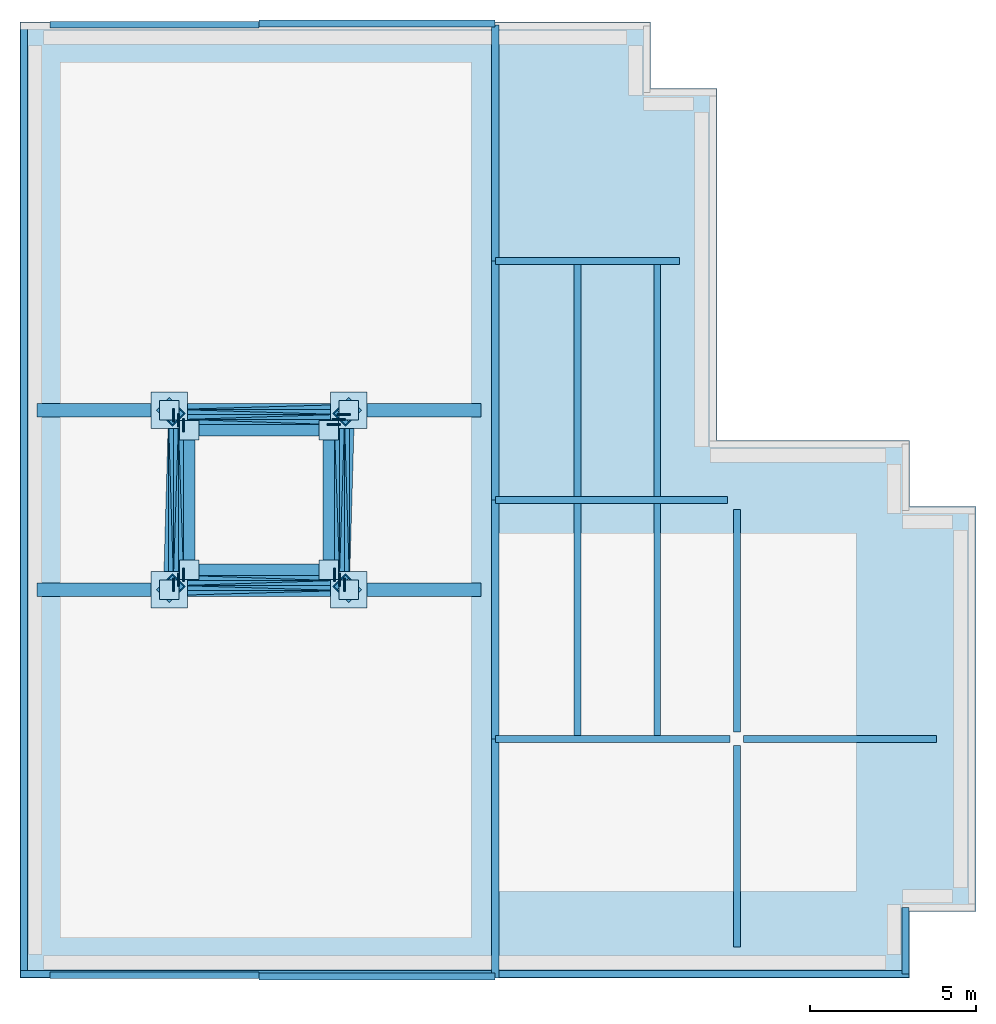
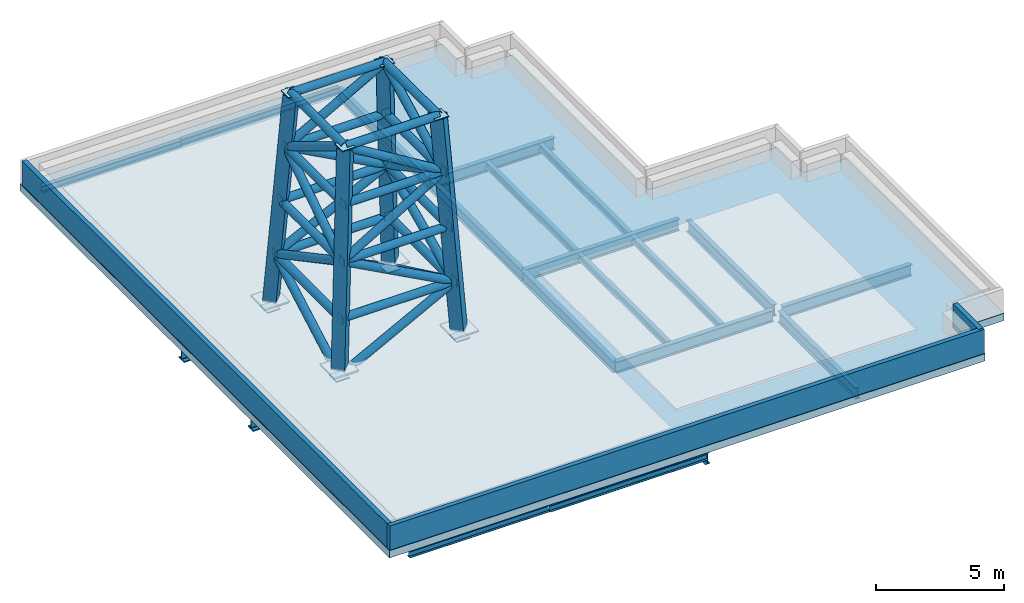
# One storey, part 1 of 3: 36 beams, 24 plates, 16 members, 4 columns, 3 walls, 1 slab.
"""IFC4 building model written with IfcOpenShell, lengths in metres."""

from ifc_helpers import new_model, si_unit, direction, frame, frame_2d, origin, origin_2d, place, context, subcontext, project, spatial, polyline, rectangle, hollow_rectangle, hollow_circle, i_section, outline, extrude, material, layer, layer_set, material_profile, profile_set, type_object, element, save


model = new_model("IFC4")

# Units and contexts
model_context = context("Model", 3, precision=1e-05, world=origin(), true_north=direction((0.0, 1.0)))
body_context = subcontext(model_context, "Body", "Model", "MODEL_VIEW")
ifc_project = project(units=[si_unit("LENGTHUNIT", "METRE"), si_unit("AREAUNIT", "SQUARE_METRE"), si_unit("VOLUMEUNIT", "CUBIC_METRE"), si_unit("PLANEANGLEUNIT", "RADIAN"), si_unit("MASSUNIT", "GRAM", prefix="KILO")], contexts=[model_context])

# Site, building, storey
site_placement = place(None, origin())
site = spatial("IfcSite", under=ifc_project, at=site_placement, CompositionType="ELEMENT")
building_placement = place(site_placement, origin())
building = spatial("IfcBuilding", under=site, at=building_placement, Name="Cobrela Telecom Tower", CompositionType="ELEMENT")
storey_placement = place(building_placement, frame((0.0, 0.0, 305.199951171875)))
storey = spatial("IfcBuildingStorey", under=building, at=storey_placement, Name="RF", CompositionType="ELEMENT", Elevation=305.199951171875)

# Columns
ifc_material_1 = material(Name="Steel ASTM A572 Grade 50", Category="steel")
ifc_material_profile_1 = material_profile(ifc_material_1, hollow_rectangle(XDim=0.550048828125, YDim=0.550048828125, WallThickness=0.034912109375, at=origin_2d()), Name="BOX 550x550x35")
ifc_profile_set_1 = profile_set([ifc_material_profile_1], Name="Steel ASTM A572 Grade 50")
column_type = type_object("IfcColumnType", Name="COL-MAST-LO", PredefinedType="COLUMN", material=ifc_profile_set_1)
for number, where, z_axis, x_axis, name in (
    (1, (4.5, 18.89990234375, -0.349853515625), (0.057787324921, 0.057787324921, 0.996655030669), (-0.707106781187, 0.707106781187, 0.0), "RF Broadcast Lattice Mast Leg 1"),
    (2, (9.89990234375, 18.89990234375, -0.349853515625), (-0.057763893486, 0.057787403414, 0.996656384425), (-0.707250633645, -0.706962899457, 0.0), "RF Broadcast Lattice Mast Leg 2"),
    (3, (9.89990234375, 24.300048828125, -0.349853515625), (-0.057763893486, -0.057787403414, 0.996656384425), (0.707250633645, -0.706962899457, 0.0), "RF Broadcast Lattice Mast Leg 3"),
    (4, (4.5, 24.300048828125, -0.349853515625), (0.057787324921, -0.057787324921, 0.996655030669), (0.707106781187, 0.707106781187, 0.0), "RF Broadcast Lattice Mast Leg 4"),
):
    element("IfcColumn", number, at=place(storey_placement, frame(where, z_axis=z_axis, x_axis=x_axis)), inside=storey, type_object=column_type, Name=name, PredefinedType="COLUMN", context=body_context, shape_type="SweptSolid", body=[
        extrude(hollow_rectangle(XDim=0.550048828125, YDim=0.550048828125, WallThickness=0.034912109375, at=origin_2d()), origin(), (0.0, 0.0, 1.0), 10.384521484375),
    ])

# Beams
ifc_material_2 = material(Name="Steel ASTM A992 Grade 50", Category="steel")
ifc_material_profile_2 = material_profile(ifc_material_2, i_section(OverallWidth=0.212890625, OverallDepth=0.549072265625, WebThickness=0.0146484375, FlangeThickness=0.023681640625, FilletRadius=0.013916015625, at=origin_2d()), Name="W21X93")
ifc_profile_set_2 = profile_set([ifc_material_profile_2], Name="Steel ASTM A992 Grade 50")
beam_type_1 = type_object("IfcBeamType", Name="BM-GIRD-08", PredefinedType="USERDEFINED", material=ifc_profile_set_2)
beam_1_placement = place(storey_placement, frame((14.324951171875, 14.39990234375, -0.62451171875), z_axis=(1.0, 0.0, 0.0), x_axis=(0.0, 1.0, 0.0)))
element("IfcBeam", 5, at=beam_1_placement, inside=storey, type_object=beam_type_1, Name="RF Primary Girder X03", ObjectType="GIRDER", PredefinedType="USERDEFINED", context=body_context, shape_type="SweptSolid", body=[
    extrude(i_section(OverallWidth=0.212890625, OverallDepth=0.549072265625, WebThickness=0.0146484375, FlangeThickness=0.023681640625, FilletRadius=0.013916015625, at=origin_2d()), origin(), (0.0, 0.0, 1.0), 7.070556640625),
])
beam_2_placement = place(storey_placement, frame((21.804443359375, 14.39990234375, -0.62451171875), z_axis=(1.0, 0.0, 0.0), x_axis=(0.0, 1.0, 0.0)))
element("IfcBeam", 6, at=beam_2_placement, inside=storey, type_object=beam_type_1, Name="RF Primary Girder X04", ObjectType="GIRDER", PredefinedType="USERDEFINED", context=body_context, shape_type="SweptSolid", body=[
    extrude(i_section(OverallWidth=0.212890625, OverallDepth=0.549072265625, WebThickness=0.0146484375, FlangeThickness=0.023681640625, FilletRadius=0.013916015625, at=origin_2d()), origin(), (0.0, 0.0, 1.0), 5.815673828125),
])
beam_3_placement = place(storey_placement, frame((14.324951171875, 21.60009765625, -0.62451171875), z_axis=(1.0, 0.0, 0.0), x_axis=(0.0, 1.0, 0.0)))
element("IfcBeam", 7, at=beam_3_placement, inside=storey, type_object=beam_type_1, Name="RF Primary Girder X05", ObjectType="GIRDER", PredefinedType="USERDEFINED", context=body_context, shape_type="SweptSolid", body=[
    extrude(i_section(OverallWidth=0.212890625, OverallDepth=0.549072265625, WebThickness=0.0146484375, FlangeThickness=0.023681640625, FilletRadius=0.013916015625, at=origin_2d()), origin(), (0.0, 0.0, 1.0), 6.9951171875),
])
beam_4_placement = place(storey_placement, frame((14.324951171875, 28.800048828125, -0.62451171875), z_axis=(1.0, 0.0, 0.0), x_axis=(0.0, 1.0, 0.0)))
element("IfcBeam", 8, at=beam_4_placement, inside=storey, type_object=beam_type_1, Name="RF Primary Girder X06", ObjectType="GIRDER", PredefinedType="USERDEFINED", context=body_context, shape_type="SweptSolid", body=[
    extrude(i_section(OverallWidth=0.212890625, OverallDepth=0.549072265625, WebThickness=0.0146484375, FlangeThickness=0.023681640625, FilletRadius=0.013916015625, at=origin_2d()), origin(), (0.0, 0.0, 1.0), 5.545166015625),
])
for number, where, z_axis, x_axis, name in (
    (9, (14.320068359375, 7.205078125, -0.62451171875), (0.0, 1.0, 0.0), (-1.0, 0.0, 0.0), "RF Primary Girder Y09"),
    (10, (14.320068359375, 14.405029296875, -0.62451171875), (0.0, 1.0, 0.0), (-1.0, 0.0, 0.0), "RF Primary Girder Y10"),
    (11, (14.320068359375, 21.60498046875, -0.62451171875), (0.0, 1.0, 0.0), (-1.0, 0.0, 0.0), "RF Primary Girder Y11"),
):
    element("IfcBeam", number, at=place(storey_placement, frame(where, z_axis=z_axis, x_axis=x_axis)), inside=storey, type_object=beam_type_1, Name=name, ObjectType="GIRDER", PredefinedType="USERDEFINED", context=body_context, shape_type="SweptSolid", body=[
        extrude(i_section(OverallWidth=0.212890625, OverallDepth=0.549072265625, WebThickness=0.0146484375, FlangeThickness=0.023681640625, FilletRadius=0.013916015625, at=origin_2d()), origin(), (0.0, 0.0, 1.0), 7.18994140625),
    ])
beam_5_placement = place(storey_placement, frame((14.320068359375, 28.804931640625, -0.62451171875), z_axis=(0.0, 1.0, 0.0), x_axis=(-1.0, 0.0, 0.0)))
element("IfcBeam", 12, at=beam_5_placement, inside=storey, type_object=beam_type_1, Name="RF Primary Girder Y12", ObjectType="GIRDER", PredefinedType="USERDEFINED", context=body_context, shape_type="SweptSolid", body=[
    extrude(i_section(OverallWidth=0.212890625, OverallDepth=0.549072265625, WebThickness=0.0146484375, FlangeThickness=0.023681640625, FilletRadius=0.013916015625, at=origin_2d()), origin(), (0.0, 0.0, 1.0), 7.110107421875),
])
beam_6_placement = place(storey_placement, frame((21.60009765625, 8.1298828125, -0.62451171875), z_axis=(0.0, 1.0, 0.0), x_axis=(-1.0, 0.0, 0.0)))
element("IfcBeam", 13, at=beam_6_placement, inside=storey, type_object=beam_type_1, Name="RF Primary Girder Y13", ObjectType="GIRDER", PredefinedType="USERDEFINED", context=body_context, shape_type="SweptSolid", body=[
    extrude(i_section(OverallWidth=0.212890625, OverallDepth=0.549072265625, WebThickness=0.0146484375, FlangeThickness=0.023681640625, FilletRadius=0.013916015625, at=origin_2d()), origin(), (0.0, 0.0, 1.0), 6.065673828125),
])
beam_7_placement = place(storey_placement, frame((21.60009765625, 14.6044921875, -0.62451171875), z_axis=(0.0, 1.0, 0.0), x_axis=(-1.0, 0.0, 0.0)))
element("IfcBeam", 14, at=beam_7_placement, inside=storey, type_object=beam_type_1, Name="RF Primary Girder Y14", ObjectType="GIRDER", PredefinedType="USERDEFINED", context=body_context, shape_type="SweptSolid", body=[
    extrude(i_section(OverallWidth=0.212890625, OverallDepth=0.549072265625, WebThickness=0.0146484375, FlangeThickness=0.023681640625, FilletRadius=0.013916015625, at=origin_2d()), origin(), (0.0, 0.0, 1.0), 6.715576171875),
])
ifc_material_profile_3 = material_profile(ifc_material_2, i_section(OverallWidth=0.205078125, OverallDepth=0.31005859375, WebThickness=0.009521484375, FlangeThickness=0.016357421875, FilletRadius=0.010986328125, at=origin_2d()), Name="W12X50")
ifc_profile_set_3 = profile_set([ifc_material_profile_3], Name="Steel ASTM A992 Grade 50")
beam_type_2 = type_object("IfcBeamType", Name="BM-JOIST-05", PredefinedType="JOIST", material=ifc_profile_set_3)
for number, where, z_axis, x_axis, name in (
    (15, (16.800048828125, 14.511474609375, -0.5048828125), (0.0, 1.0, 0.0), (-1.0, 0.0, 0.0), "RF Secondary Composite Floor Beam J01"),
    (16, (16.800048828125, 21.71142578125, -0.5048828125), (0.0, 1.0, 0.0), (-1.0, 0.0, 0.0), "RF Secondary Composite Floor Beam J02"),
    (17, (19.199951171875, 14.511474609375, -0.5048828125), (0.0, 1.0, 0.0), (-1.0, 0.0, 0.0), "RF Secondary Composite Floor Beam J03"),
    (18, (19.199951171875, 21.71142578125, -0.5048828125), (0.0, 1.0, 0.0), (-1.0, 0.0, 0.0), "RF Secondary Composite Floor Beam J04"),
):
    element("IfcBeam", number, at=place(storey_placement, frame(where, z_axis=z_axis, x_axis=x_axis)), inside=storey, type_object=beam_type_2, Name=name, PredefinedType="JOIST", context=body_context, shape_type="SweptSolid", body=[
        extrude(i_section(OverallWidth=0.205078125, OverallDepth=0.31005859375, WebThickness=0.009521484375, FlangeThickness=0.016357421875, FilletRadius=0.010986328125, at=origin_2d()), origin(), (0.0, 0.0, 1.0), 6.97705078125),
    ])
ifc_material_profile_4 = material_profile(ifc_material_1, hollow_circle(Radius=0.177978515625, WallThickness=0.01611328125, at=origin_2d()), Name="CHS 356x16")
ifc_profile_set_4 = profile_set([ifc_material_profile_4], Name="Steel ASTM A572 Grade 50")
beam_type_3 = type_object("IfcBeamType", Name="BM-MAST-RING", PredefinedType="BEAM", material=ifc_profile_set_4)
beam_8_placement = place(storey_placement, frame((4.64990234375, 19.050048828125, 2.237548828125), z_axis=(1.0, 0.0, 0.0), x_axis=(0.0, 1.0, 0.0)))
element("IfcBeam", 19, at=beam_8_placement, inside=storey, type_object=beam_type_3, Name="RF Broadcast Lattice Mast Ring 1.1", PredefinedType="BEAM", context=body_context, shape_type="SweptSolid", body=[
    extrude(hollow_circle(Radius=0.177978515625, WallThickness=0.01611328125, at=origin_2d()), origin(), (0.0, 0.0, 1.0), 5.10009765625),
])
beam_9_placement = place(storey_placement, frame((9.75, 19.050048828125, 2.237548828125), z_axis=(0.0, 1.0, 0.0), x_axis=(-1.0, 0.0, 0.0)))
element("IfcBeam", 20, at=beam_9_placement, inside=storey, type_object=beam_type_3, Name="RF Broadcast Lattice Mast Ring 1.2", PredefinedType="BEAM", context=body_context, shape_type="SweptSolid", body=[
    extrude(hollow_circle(Radius=0.177978515625, WallThickness=0.01611328125, at=origin_2d()), origin(), (0.0, 0.0, 1.0), 5.099853515625),
])
beam_10_placement = place(storey_placement, frame((9.75, 24.14990234375, 2.237548828125), z_axis=(-1.0, 0.0, 0.0), x_axis=(0.0, -1.0, 0.0)))
element("IfcBeam", 21, at=beam_10_placement, inside=storey, type_object=beam_type_3, Name="RF Broadcast Lattice Mast Ring 1.3", PredefinedType="BEAM", context=body_context, shape_type="SweptSolid", body=[
    extrude(hollow_circle(Radius=0.177978515625, WallThickness=0.01611328125, at=origin_2d()), origin(), (0.0, 0.0, 1.0), 5.10009765625),
])
beam_11_placement = place(storey_placement, frame((4.64990234375, 24.14990234375, 2.237548828125), z_axis=(0.0, -1.0, 0.0), x_axis=(1.0, 0.0, 0.0)))
element("IfcBeam", 22, at=beam_11_placement, inside=storey, type_object=beam_type_3, Name="RF Broadcast Lattice Mast Ring 1.4", PredefinedType="BEAM", context=body_context, shape_type="SweptSolid", body=[
    extrude(hollow_circle(Radius=0.177978515625, WallThickness=0.01611328125, at=origin_2d()), origin(), (0.0, 0.0, 1.0), 5.099853515625),
])
for number, where, z_axis, x_axis, name in (
    (23, (4.800048828125, 19.199951171875, 4.824951171875), (1.0, 0.0, 0.0), (0.0, 1.0, 0.0), "RF Broadcast Lattice Mast Ring 2.1"),
    (24, (9.60009765625, 19.199951171875, 4.824951171875), (0.0, 1.0, 0.0), (-1.0, 0.0, 0.0), "RF Broadcast Lattice Mast Ring 2.2"),
    (25, (9.60009765625, 24.0, 4.824951171875), (-1.0, 0.0, 0.0), (0.0, -1.0, 0.0), "RF Broadcast Lattice Mast Ring 2.3"),
    (26, (4.800048828125, 24.0, 4.824951171875), (0.0, -1.0, 0.0), (1.0, 0.0, 0.0), "RF Broadcast Lattice Mast Ring 2.4"),
):
    element("IfcBeam", number, at=place(storey_placement, frame(where, z_axis=z_axis, x_axis=x_axis)), inside=storey, type_object=beam_type_3, Name=name, PredefinedType="BEAM", context=body_context, shape_type="SweptSolid", body=[
        extrude(hollow_circle(Radius=0.177978515625, WallThickness=0.01611328125, at=origin_2d()), origin(), (0.0, 0.0, 1.0), 4.800048828125),
    ])
for number, where, z_axis, x_axis, name in (
    (27, (4.949951171875, 19.35009765625, 7.41259765625), (1.0, 0.0, 0.0), (0.0, 1.0, 0.0), "RF Broadcast Lattice Mast Ring 3.1"),
    (28, (9.449951171875, 19.35009765625, 7.41259765625), (0.0, 1.0, 0.0), (-1.0, 0.0, 0.0), "RF Broadcast Lattice Mast Ring 3.2"),
    (29, (9.449951171875, 23.85009765625, 7.41259765625), (-1.0, 0.0, 0.0), (0.0, -1.0, 0.0), "RF Broadcast Lattice Mast Ring 3.3"),
    (30, (4.949951171875, 23.85009765625, 7.41259765625), (0.0, -1.0, 0.0), (1.0, 0.0, 0.0), "RF Broadcast Lattice Mast Ring 3.4"),
):
    element("IfcBeam", number, at=place(storey_placement, frame(where, z_axis=z_axis, x_axis=x_axis)), inside=storey, type_object=beam_type_3, Name=name, PredefinedType="BEAM", context=body_context, shape_type="SweptSolid", body=[
        extrude(hollow_circle(Radius=0.177978515625, WallThickness=0.01611328125, at=origin_2d()), origin(), (0.0, 0.0, 1.0), 4.5),
    ])
for number, where, z_axis, x_axis, name in (
    (31, (5.10009765625, 19.5, 10.0), (1.0, 0.0, 0.0), (0.0, 1.0, 0.0), "RF Broadcast Lattice Mast Ring 4.1"),
    (32, (9.300048828125, 19.5, 10.0), (0.0, 1.0, 0.0), (-1.0, 0.0, 0.0), "RF Broadcast Lattice Mast Ring 4.2"),
    (33, (9.300048828125, 23.699951171875, 10.0), (-1.0, 0.0, 0.0), (0.0, -1.0, 0.0), "RF Broadcast Lattice Mast Ring 4.3"),
    (34, (5.10009765625, 23.699951171875, 10.0), (0.0, -1.0, 0.0), (1.0, 0.0, 0.0), "RF Broadcast Lattice Mast Ring 4.4"),
):
    element("IfcBeam", number, at=place(storey_placement, frame(where, z_axis=z_axis, x_axis=x_axis)), inside=storey, type_object=beam_type_3, Name=name, PredefinedType="BEAM", context=body_context, shape_type="SweptSolid", body=[
        extrude(hollow_circle(Radius=0.177978515625, WallThickness=0.01611328125, at=origin_2d()), origin(), (0.0, 0.0, 1.0), 4.199951171875),
    ])
ifc_material_profile_5 = material_profile(ifc_material_2, i_section(OverallWidth=0.205078125, OverallDepth=0.31005859375, WebThickness=0.009521484375, FlangeThickness=0.016357421875, FilletRadius=0.010986328125, at=origin_2d()), Name="W12X50")
ifc_profile_set_5 = profile_set([ifc_material_profile_5], Name="Steel ASTM A992 Grade 50")
beam_type_4 = type_object("IfcBeamType", Name="BM-SPAND-07", PredefinedType="SPANDREL", material=ifc_profile_set_5)
beam_12_placement = place(storey_placement, frame((0.905029296875, 7.280029296875, -0.5048828125), z_axis=(1.0, 0.0, 0.0), x_axis=(0.0, 1.0, 0.0)))
element("IfcBeam", 35, at=beam_12_placement, inside=storey, type_object=beam_type_4, Name="RF Perimeter Spandrel X01", PredefinedType="SPANDREL", context=body_context, shape_type="SweptSolid", body=[
    extrude(i_section(OverallWidth=0.205078125, OverallDepth=0.31005859375, WebThickness=0.009521484375, FlangeThickness=0.016357421875, FilletRadius=0.010986328125, at=origin_2d()), origin(), (0.0, 0.0, 1.0), 6.2900390625),
])
beam_13_placement = place(storey_placement, frame((7.205078125, 7.239990234375, -0.5048828125), z_axis=(1.0, 0.0, 0.0), x_axis=(0.0, 1.0, 0.0)))
element("IfcBeam", 36, at=beam_13_placement, inside=storey, type_object=beam_type_4, Name="RF Perimeter Spandrel X02", PredefinedType="SPANDREL", context=body_context, shape_type="SweptSolid", body=[
    extrude(i_section(OverallWidth=0.205078125, OverallDepth=0.31005859375, WebThickness=0.009521484375, FlangeThickness=0.016357421875, FilletRadius=0.010986328125, at=origin_2d()), origin(), (0.0, 0.0, 1.0), 7.10986328125),
])
beam_14_placement = place(storey_placement, frame((0.905029296875, 35.919921875, -0.5048828125), z_axis=(1.0, 0.0, 0.0), x_axis=(0.0, 1.0, 0.0)))
element("IfcBeam", 37, at=beam_14_placement, inside=storey, type_object=beam_type_4, Name="RF Perimeter Spandrel X07", PredefinedType="SPANDREL", context=body_context, shape_type="SweptSolid", body=[
    extrude(i_section(OverallWidth=0.205078125, OverallDepth=0.31005859375, WebThickness=0.009521484375, FlangeThickness=0.016357421875, FilletRadius=0.010986328125, at=origin_2d()), origin(), (0.0, 0.0, 1.0), 6.2900390625),
])
beam_15_placement = place(storey_placement, frame((7.205078125, 35.9599609375, -0.5048828125), z_axis=(1.0, 0.0, 0.0), x_axis=(0.0, 1.0, 0.0)))
element("IfcBeam", 38, at=beam_15_placement, inside=storey, type_object=beam_type_4, Name="RF Perimeter Spandrel X08", PredefinedType="SPANDREL", context=body_context, shape_type="SweptSolid", body=[
    extrude(i_section(OverallWidth=0.205078125, OverallDepth=0.31005859375, WebThickness=0.009521484375, FlangeThickness=0.016357421875, FilletRadius=0.010986328125, at=origin_2d()), origin(), (0.0, 0.0, 1.0), 7.10986328125),
])
ifc_material_profile_6 = material_profile(ifc_material_2, i_section(OverallWidth=0.408935546875, OverallDepth=1.137939453125, WebThickness=0.031005859375, FlangeThickness=0.054931640625, FilletRadius=0.02490234375, at=origin_2d()), Name="W44X408")
ifc_profile_set_6 = profile_set([ifc_material_profile_6], Name="Steel ASTM A992 Grade 50")
beam_type_5 = type_object("IfcBeamType", Name="BM-TRG-RF", PredefinedType="USERDEFINED", material=ifc_profile_set_6)
for number, where, z_axis, x_axis, name in (
    (39, (0.5048828125, 18.89990234375, -0.9189453125), (1.0, 0.0, 0.0), (0.0, 1.0, 0.0), "RF Transfer Girder 01"),
    (40, (0.5048828125, 24.300048828125, -0.9189453125), (1.0, 0.0, 0.0), (0.0, 1.0, 0.0), "RF Transfer Girder 02"),
):
    element("IfcBeam", number, at=place(storey_placement, frame(where, z_axis=z_axis, x_axis=x_axis)), inside=storey, type_object=beam_type_5, Name=name, ObjectType="GIRDER", PredefinedType="USERDEFINED", context=body_context, shape_type="SweptSolid", body=[
        extrude(i_section(OverallWidth=0.408935546875, OverallDepth=1.137939453125, WebThickness=0.031005859375, FlangeThickness=0.054931640625, FilletRadius=0.02490234375, at=origin_2d()), origin(), (0.0, 0.0, 1.0), 13.39013671875),
    ])

# Members
ifc_material_profile_7 = material_profile(ifc_material_1, hollow_circle(Radius=0.177978515625, WallThickness=0.01611328125, at=origin_2d()), Name="CHS 356x16")
ifc_profile_set_7 = profile_set([ifc_material_profile_7], Name="Steel ASTM A572 Grade 50")
member_type = type_object("IfcMemberType", Name="MBR-MAST-BRC", PredefinedType="BRACE", material=ifc_profile_set_7)
for number, where, z_axis, x_axis, name in (
    (41, (4.5, 18.89990234375, -0.349853515625), (0.896686909668, 0.025644645157, 0.441921868892), (-0.028587641521, 0.999591289854, 0.0), "RF Broadcast Lattice Mast Brace 1.1"),
    (42, (9.89990234375, 24.300048828125, -0.349853515625), (-0.025602973903, -0.896687867758, 0.441922341076), (0.999592617101, -0.028541195447, 0.0), "RF Broadcast Lattice Mast Brace 1.2"),
    (43, (9.89990234375, 24.300048828125, -0.349853515625), (-0.896686909668, -0.025644645157, 0.441921868892), (0.028587641521, -0.999591289854, 0.0), "RF Broadcast Lattice Mast Brace 1.3"),
    (44, (4.5, 18.89990234375, -0.349853515625), (0.025602973903, 0.896687867758, 0.441922341076), (-0.999592617101, 0.028541195447, 0.0), "RF Broadcast Lattice Mast Brace 1.4"),
):
    element("IfcMember", number, at=place(storey_placement, frame(where, z_axis=z_axis, x_axis=x_axis)), inside=storey, type_object=member_type, Name=name, PredefinedType="BRACE", context=body_context, shape_type="SweptSolid", body=[
        extrude(hollow_circle(Radius=0.177978515625, WallThickness=0.01611328125, at=origin_2d()), origin(), (0.0, 0.0, 1.0), 5.85498046875),
    ])
for number, where, z_axis, x_axis, name in (
    (45, (9.75, 19.050048828125, 2.237548828125), (-0.885911745734, 0.02682859738, 0.463077320902), (-0.030269723546, -0.999541766929, 0.0), "RF Broadcast Lattice Mast Brace 2.1"),
    (46, (9.75, 19.050048828125, 2.237548828125), (-0.02682859738, 0.885911745734, 0.463077320902), (-0.999541766929, -0.030269723546, 0.0), "RF Broadcast Lattice Mast Brace 2.2"),
):
    element("IfcMember", number, at=place(storey_placement, frame(where, z_axis=z_axis, x_axis=x_axis)), inside=storey, type_object=member_type, Name=name, PredefinedType="BRACE", context=body_context, shape_type="SweptSolid", body=[
        extrude(hollow_circle(Radius=0.177978515625, WallThickness=0.01611328125, at=origin_2d()), origin(), (0.0, 0.0, 1.0), 5.58740234375),
    ])
member_1_placement = place(storey_placement, frame((4.64990234375, 24.14990234375, 2.237548828125), z_axis=(0.885921146574, -0.026827558887, 0.463059395906), x_axis=(0.030268232029, 0.999541812097, 0.0)))
element("IfcMember", 47, at=member_1_placement, inside=storey, type_object=member_type, Name="RF Broadcast Lattice Mast Brace 2.3", PredefinedType="BRACE", context=body_context, shape_type="SweptSolid", body=[
    extrude(hollow_circle(Radius=0.177978515625, WallThickness=0.01611328125, at=origin_2d()), origin(), (0.0, 0.0, 1.0), 5.587646484375),
])
member_2_placement = place(storey_placement, frame((4.64990234375, 24.14990234375, 2.237548828125), z_axis=(0.026872260637, -0.885910706362, 0.463076777609), x_axis=(0.999540274128, 0.030318977489, 0.0)))
element("IfcMember", 48, at=member_2_placement, inside=storey, type_object=member_type, Name="RF Broadcast Lattice Mast Brace 2.4", PredefinedType="BRACE", context=body_context, shape_type="SweptSolid", body=[
    extrude(hollow_circle(Radius=0.177978515625, WallThickness=0.01611328125, at=origin_2d()), origin(), (0.0, 0.0, 1.0), 5.58740234375),
])
for number, where, z_axis, x_axis, name in (
    (49, (4.800048828125, 19.199951171875, 4.824951171875), (0.873461013403, 0.028204269833, 0.486076513759), (-0.032273423952, 0.999479077373, 0.0), "RF Broadcast Lattice Mast Brace 3.1"),
    (50, (9.60009765625, 24.0, 4.824951171875), (-0.028204269833, -0.873461013403, 0.486076513759), (0.999479077373, -0.032273423952, 0.0), "RF Broadcast Lattice Mast Brace 3.2"),
):
    element("IfcMember", number, at=place(storey_placement, frame(where, z_axis=z_axis, x_axis=x_axis)), inside=storey, type_object=member_type, Name=name, PredefinedType="BRACE", context=body_context, shape_type="SweptSolid", body=[
        extrude(hollow_circle(Radius=0.177978515625, WallThickness=0.01611328125, at=origin_2d()), origin(), (0.0, 0.0, 1.0), 5.323486328125),
    ])
for number, where, z_axis, x_axis, name in (
    (51, (9.60009765625, 24.0, 4.824951171875), (-0.873473013531, -0.028157317704, 0.486057671571), (0.032219311464, -0.999480823212, 0.0), "RF Broadcast Lattice Mast Brace 3.3"),
    (52, (4.800048828125, 19.199951171875, 4.824951171875), (0.028157317704, 0.873473013531, 0.486057671571), (-0.999480823212, 0.032219311464, 0.0), "RF Broadcast Lattice Mast Brace 3.4"),
):
    element("IfcMember", number, at=place(storey_placement, frame(where, z_axis=z_axis, x_axis=x_axis)), inside=storey, type_object=member_type, Name=name, PredefinedType="BRACE", context=body_context, shape_type="SweptSolid", body=[
        extrude(hollow_circle(Radius=0.177978515625, WallThickness=0.01611328125, at=origin_2d()), origin(), (0.0, 0.0, 1.0), 5.32373046875),
    ])
for number, where, z_axis, x_axis, name in (
    (53, (9.449951171875, 19.35009765625, 7.41259765625), (-0.859072109805, 0.02960488721, 0.510997711158), (-0.034441024494, -0.999406731932, 0.0), "RF Broadcast Lattice Mast Brace 4.1"),
    (54, (9.449951171875, 19.35009765625, 7.41259765625), (-0.02960488721, 0.859072109805, 0.510997711158), (-0.999406731932, -0.034441024494, 0.0), "RF Broadcast Lattice Mast Brace 4.2"),
):
    element("IfcMember", number, at=place(storey_placement, frame(where, z_axis=z_axis, x_axis=x_axis)), inside=storey, type_object=member_type, Name=name, PredefinedType="BRACE", context=body_context, shape_type="SweptSolid", body=[
        extrude(hollow_circle(Radius=0.177978515625, WallThickness=0.01611328125, at=origin_2d()), origin(), (0.0, 0.0, 1.0), 5.0634765625),
    ])
for number, where, z_axis, x_axis, name in (
    (55, (4.949951171875, 23.85009765625, 7.41259765625), (0.8590835143, -0.029651833051, 0.510975815723), (0.034495116894, 0.999404866363, 0.0), "RF Broadcast Lattice Mast Brace 4.3"),
    (56, (4.949951171875, 23.85009765625, 7.41259765625), (0.029651833051, -0.8590835143, 0.510975815723), (0.999404866363, 0.034495116894, 0.0), "RF Broadcast Lattice Mast Brace 4.4"),
):
    element("IfcMember", number, at=place(storey_placement, frame(where, z_axis=z_axis, x_axis=x_axis)), inside=storey, type_object=member_type, Name=name, PredefinedType="BRACE", context=body_context, shape_type="SweptSolid", body=[
        extrude(hollow_circle(Radius=0.177978515625, WallThickness=0.01611328125, at=origin_2d()), origin(), (0.0, 0.0, 1.0), 5.063720703125),
    ])

# Plates
ifc_layer_1 = layer(ifc_material_1, 0.06494140625)
ifc_layer_set_1 = layer_set([ifc_layer_1], Name="Steel ASTM A572 Grade 50")
plate_type_1 = type_object("IfcPlateType", Name="PLT-MAST-BASE-65", PredefinedType="USERDEFINED", material=ifc_layer_set_1)
for number, where, z_axis, x_axis, name in (
    (57, (4.5, 18.89990234375, 0.0), (0.0, 0.0, 1.0), (1.0, 0.0, 0.0), "Broadcast Lattice Mast Base Plate BP-M1-1"),
    (58, (9.89990234375, 18.89990234375, 0.0), (0.0, 0.0, 1.0), (1.0, 0.0, 0.0), "Broadcast Lattice Mast Base Plate BP-M1-2"),
    (59, (9.89990234375, 24.300048828125, 0.0), (0.0, 0.0, 1.0), (1.0, 0.0, 0.0), "Broadcast Lattice Mast Base Plate BP-M1-3"),
    (60, (4.5, 24.300048828125, 0.0), (0.0, 0.0, 1.0), (1.0, 0.0, 0.0), "Broadcast Lattice Mast Base Plate BP-M1-4"),
):
    element("IfcPlate", number, at=place(storey_placement, frame(where, z_axis=z_axis, x_axis=x_axis)), inside=storey, type_object=plate_type_1, Name=name, ObjectType="BASE PLATE", PredefinedType="USERDEFINED", context=body_context, shape_type="SweptSolid", body=[
        extrude(rectangle(XDim=1.10009765625, YDim=1.10009765625, at=origin_2d()), origin(), (0.0, 0.0, 1.0), 0.06494140625),
    ])
ifc_layer_2 = layer(ifc_material_1, 0.0458984375)
ifc_layer_set_2 = layer_set([ifc_layer_2], Name="Steel ASTM A572 Grade 50")
plate_type_2 = type_object("IfcPlateType", Name="PLT-NODE-ND13", PredefinedType="USERDEFINED", material=ifc_layer_set_2)
for number, where, z_axis, x_axis, name in (
    (61, (4.5, 18.89990234375, -0.392333984375), (0.0, 0.0, 1.0), (1.0, 0.0, 0.0), "Steel node plate PLT-COL-MAST-RF-L1-0"),
    (62, (5.10009765625, 19.5, 9.99755859375), (0.0, 0.0, 1.0), (1.0, 0.0, 0.0), "Steel node plate PLT-COL-MAST-RF-L1-1"),
    (63, (9.89990234375, 18.89990234375, -0.392333984375), (0.0, 0.0, 1.0), (1.0, 0.0, 0.0), "Steel node plate PLT-COL-MAST-RF-L2-0"),
    (64, (9.300048828125, 19.5, 9.99755859375), (0.0, 0.0, 1.0), (1.0, 0.0, 0.0), "Steel node plate PLT-COL-MAST-RF-L2-1"),
    (65, (9.89990234375, 24.300048828125, -0.392333984375), (0.0, 0.0, 1.0), (1.0, 0.0, 0.0), "Steel node plate PLT-COL-MAST-RF-L3-0"),
    (66, (9.300048828125, 23.699951171875, 9.99755859375), (0.0, 0.0, 1.0), (1.0, 0.0, 0.0), "Steel node plate PLT-COL-MAST-RF-L3-1"),
    (67, (4.5, 24.300048828125, -0.392333984375), (0.0, 0.0, 1.0), (1.0, 0.0, 0.0), "Steel node plate PLT-COL-MAST-RF-L4-0"),
    (68, (5.10009765625, 23.699951171875, 9.99755859375), (0.0, 0.0, 1.0), (1.0, 0.0, 0.0), "Steel node plate PLT-COL-MAST-RF-L4-1"),
):
    element("IfcPlate", number, at=place(storey_placement, frame(where, z_axis=z_axis, x_axis=x_axis)), inside=storey, type_object=plate_type_2, Name=name, ObjectType="GUSSET PLATE", PredefinedType="USERDEFINED", context=body_context, shape_type="SweptSolid", body=[
        extrude(rectangle(XDim=0.590087890625, YDim=0.590087890625, at=origin_2d()), origin(), (0.0, 0.0, 1.0), 0.044921875),
    ])
for number, where, z_axis, x_axis, name in (
    (69, (4.6298828125, 19.050048828125, 2.03955078125), (0.0, 0.0, 1.0), (1.0, 0.0, 0.0), "Steel node plate PLT-BM-MAST-RF-R1-1-0"),
    (70, (9.77001953125, 19.050048828125, 2.03955078125), (0.0, 0.0, 1.0), (1.0, 0.0, 0.0), "Steel node plate PLT-BM-MAST-RF-R1-1-1"),
    (71, (9.75, 24.169921875, 2.03955078125), (0.0, 0.0, 1.0), (0.0, 1.0, 0.0), "Steel node plate PLT-BM-MAST-RF-R1-2-1"),
    (72, (4.6298828125, 24.14990234375, 2.03955078125), (0.0, 0.0, 1.0), (-1.0, 0.0, 0.0), "Steel node plate PLT-BM-MAST-RF-R1-3-1"),
    (73, (4.780029296875, 19.199951171875, 4.626953125), (0.0, 0.0, 1.0), (1.0, 0.0, 0.0), "Steel node plate PLT-BM-MAST-RF-R2-1-0"),
    (74, (9.6201171875, 19.199951171875, 4.626953125), (0.0, 0.0, 1.0), (1.0, 0.0, 0.0), "Steel node plate PLT-BM-MAST-RF-R2-1-1"),
    (75, (9.60009765625, 24.02001953125, 4.626953125), (0.0, 0.0, 1.0), (0.0, 1.0, 0.0), "Steel node plate PLT-BM-MAST-RF-R2-2-1"),
    (76, (4.780029296875, 24.0, 4.626953125), (0.0, 0.0, 1.0), (-1.0, 0.0, 0.0), "Steel node plate PLT-BM-MAST-RF-R2-3-1"),
    (77, (4.929931640625, 19.35009765625, 7.214599609375), (0.0, 0.0, 1.0), (1.0, 0.0, 0.0), "Steel node plate PLT-BM-MAST-RF-R3-1-0"),
    (78, (9.469970703125, 19.35009765625, 7.214599609375), (0.0, 0.0, 1.0), (1.0, 0.0, 0.0), "Steel node plate PLT-BM-MAST-RF-R3-1-1"),
    (79, (9.449951171875, 23.8701171875, 7.214599609375), (0.0, 0.0, 1.0), (0.0, 1.0, 0.0), "Steel node plate PLT-BM-MAST-RF-R3-2-1"),
    (80, (4.929931640625, 23.85009765625, 7.214599609375), (0.0, 0.0, 1.0), (-1.0, 0.0, 0.0), "Steel node plate PLT-BM-MAST-RF-R3-3-1"),
):
    element("IfcPlate", number, at=place(storey_placement, frame(where, z_axis=z_axis, x_axis=x_axis)), inside=storey, type_object=plate_type_2, Name=name, ObjectType="GUSSET PLATE", PredefinedType="USERDEFINED", context=body_context, shape_type="SweptSolid", body=[
        extrude(rectangle(XDim=0.044921875, YDim=0.39599609375, at=origin_2d()), origin(), (0.0, 0.0, 1.0), 0.39599609375),
    ])

# Slab
ifc_material_3 = material(Name="Concrete C40/50", Category="concrete")
ifc_layer_3 = layer(ifc_material_3, 0.35009765625)
ifc_layer_set_3 = layer_set([ifc_layer_3], Name="Concrete C40/50")
slab_type = type_object("IfcSlabType", Name="SLAB-ROOF-350", PredefinedType="ROOF", material=ifc_layer_set_3)
slab_placement = place(storey_placement, frame((0.0, 0.0, -0.349853515625)))
element("IfcSlab", 81, at=slab_placement, inside=storey, type_object=slab_type, Name="Crown Broadcast Drum Roof Slab", PredefinedType="ROOF", context=body_context, shape_type="SweptSolid", body=[
    extrude(outline(polyline([(0.0, 7.199951171875), (26.800048828125, 7.199951171875), (26.800048828125, 9.199951171875), (28.800048828125, 9.199951171875), (28.800048828125, 21.39990234375), (26.800048828125, 21.39990234375), (26.800048828125, 23.39990234375), (21.0, 23.39990234375), (21.0, 34.0), (19.0, 34.0), (19.0, 36.0), (0.0, 36.0), (0.0, 7.199951171875)])), origin(), (0.0, 0.0, 1.0), 0.349853515625),
])

# Walls
ifc_layer_4 = layer(ifc_material_3, 0.199951171875)
ifc_layer_set_4 = layer_set([ifc_layer_4], Name="Concrete C40/50")
wall_type = type_object("IfcWallType", Name="WALL-PAR-200", PredefinedType="PARAPET", material=ifc_layer_set_4)
wall_1_placement = place(storey_placement, frame((0.1201171875, 7.320068359375, 0.0), z_axis=(0.0, 0.0, 1.0), x_axis=(0.0, 1.0, 0.0)))
element("IfcWall", 82, at=wall_1_placement, inside=storey, type_object=wall_type, Name="RF Crown Drum Roof Parapet Wall 01", PredefinedType="PARAPET", context=body_context, shape_type="SweptSolid", body=[
    extrude(rectangle(XDim=28.559814453125, YDim=0.199951171875, at=frame_2d((14.27978515625, 0.0))), origin(), (0.0, 0.0, 1.0), 1.150146484375),
])
wall_2_placement = place(storey_placement, frame((26.679931640625, 9.320068359375, 0.0), z_axis=(0.0, 0.0, 1.0), x_axis=(0.0, -1.0, 0.0)))
element("IfcWall", 83, at=wall_2_placement, inside=storey, type_object=wall_type, Name="RF Crown Drum Roof Parapet Wall 11", PredefinedType="PARAPET", context=body_context, shape_type="SweptSolid", body=[
    extrude(rectangle(XDim=2.0, YDim=0.199951171875, at=frame_2d((1.0, 0.0))), origin(), (0.0, 0.0, 1.0), 1.150146484375),
])
wall_3_placement = place(storey_placement, frame((26.780029296875, 7.320068359375, 0.0), z_axis=(0.0, 0.0, 1.0), x_axis=(-1.0, 0.0, 0.0)))
element("IfcWall", 84, at=wall_3_placement, inside=storey, type_object=wall_type, Name="RF Crown Drum Roof Parapet Wall 12", PredefinedType="PARAPET", context=body_context, shape_type="SweptSolid", body=[
    extrude(rectangle(XDim=26.760009765625, YDim=0.199951171875, at=frame_2d((13.3798828125, 0.0))), origin(), (0.0, 0.0, 1.0), 1.150146484375),
])

save(model, "model.ifc")
